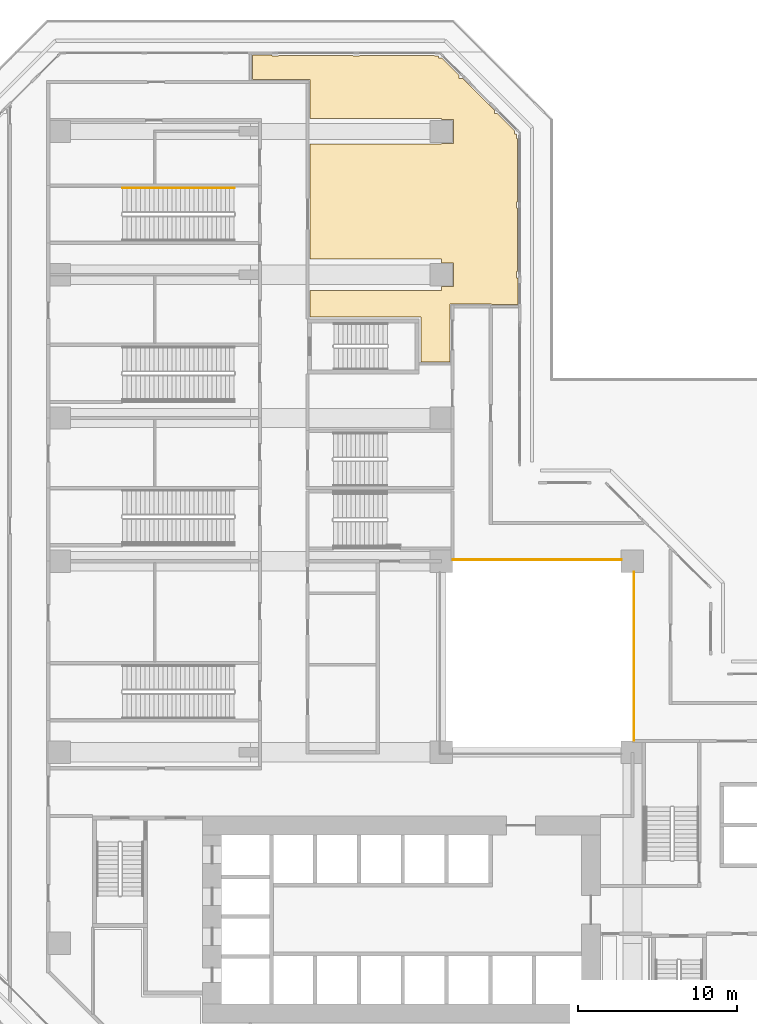
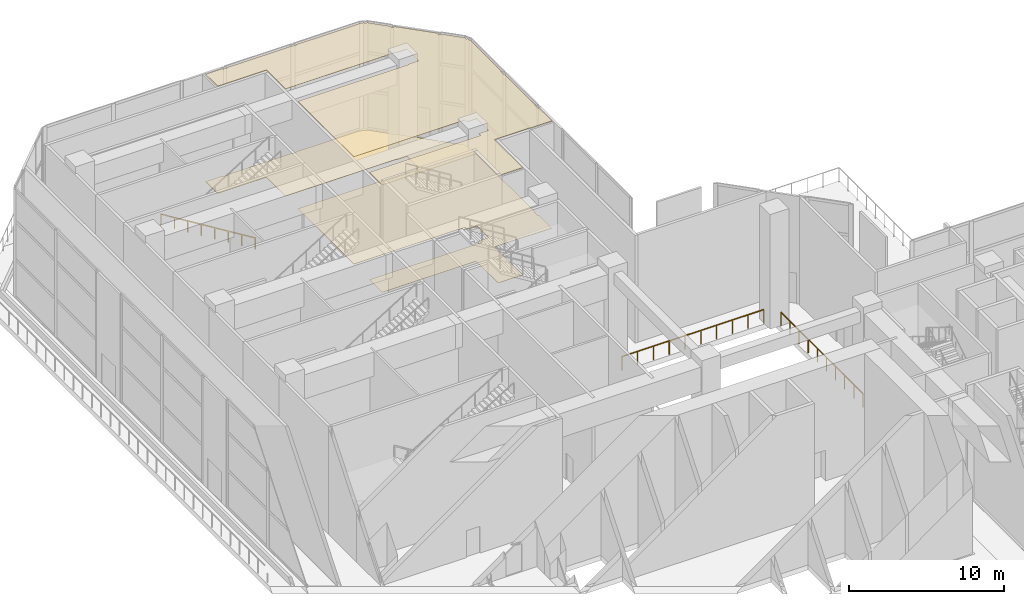
# One storey, part 28 of 28: 3 railings, 2 coverings.
"""IFC4 building model written with IfcOpenShell, lengths in metres."""

from ifc_helpers import new_model, si_unit, direction, frame, origin, origin_2d, place, context, subcontext, project, spatial, polyline, rectangle, outline, extrude, material, layer, layer_set, type_object, element, save


model = new_model("IFC4")

# Units and contexts
model_context = context("Model", 3, precision=1e-05, world=origin(), true_north=direction((0.0, 1.0)))
body_context = subcontext(model_context, "Body", "Model", "MODEL_VIEW")
ifc_project = project(units=[si_unit("LENGTHUNIT", "METRE"), si_unit("AREAUNIT", "SQUARE_METRE"), si_unit("VOLUMEUNIT", "CUBIC_METRE"), si_unit("PLANEANGLEUNIT", "RADIAN"), si_unit("MASSUNIT", "GRAM", prefix="KILO")], contexts=[model_context])

# Site, building, storey
site_placement = place(None, origin())
site = spatial("IfcSite", under=ifc_project, at=site_placement, CompositionType="ELEMENT")
building_placement = place(site_placement, origin())
building = spatial("IfcBuilding", under=site, at=building_placement, Name="Chenar Terraces", CompositionType="ELEMENT")
storey_placement = place(building_placement, frame((0.0, 0.0, 26.39990234375)))
storey = spatial("IfcBuildingStorey", under=building, at=storey_placement, Name="L05", CompositionType="ELEMENT", Elevation=26.39990234375)

# Covering
ifc_material_1 = material(Name="Mineral fibre acoustic ceiling board")
ifc_layer_1 = layer(ifc_material_1, 0.030029296875)
ifc_layer_set_1 = layer_set([ifc_layer_1], Name="Mineral fibre acoustic ceiling board")
covering_type_1 = type_object("IfcCoveringType", Name="Acoustic board ceiling 30", PredefinedType="CEILING", material=ifc_layer_set_1)
covering_1_placement = place(storey_placement, frame((0.0, 0.0, 8.420166015625)))
element("IfcCovering", 1, at=covering_1_placement, inside=storey, type_object=covering_type_1, Name="Acoustic ceiling", PredefinedType="CEILING", context=body_context, shape_type="SweptSolid", body=[
    extrude(outline(polyline([(12.125, 67.800048828125), (13.357421875, 67.800048828125), (13.357421875, 67.72509765625), (13.757568359375, 67.72509765625), (13.757568359375, 67.77490234375), (18.4560546875, 67.77490234375), (18.4560546875, 67.72509765625), (18.856201171875, 67.72509765625), (18.856201171875, 67.77490234375), (23.5546875, 67.77490234375), (23.5546875, 67.72509765625), (23.83447265625, 67.72509765625), (23.83447265625, 67.609130859375), (24.0224609375, 67.609130859375), (25.120361328125, 66.510986328125), (25.120361328125, 66.3232421875), (25.34375, 66.3232421875), (27.3232421875, 64.34375), (27.3232421875, 64.120361328125), (27.510986328125, 64.120361328125), (28.609130859375, 63.0224609375), (28.609130859375, 62.83447265625), (28.72509765625, 62.83447265625), (28.72509765625, 62.5546875), (28.77490234375, 62.5546875), (28.77490234375, 58.5810546875), (28.72509765625, 58.5810546875), (28.72509765625, 58.180908203125), (28.77490234375, 58.180908203125), (28.77490234375, 54.207275390625), (28.72509765625, 54.207275390625), (28.72509765625, 53.80712890625), (28.800048828125, 53.80712890625), (28.800048828125, 52.125), (27.14990234375, 52.125), (27.14990234375, 52.14990234375), (24.550048828125, 52.14990234375), (24.550048828125, 48.52490234375), (22.72509765625, 48.52490234375), (22.72509765625, 51.35009765625), (15.75, 51.35009765625), (15.75, 53.0), (24.0, 53.0), (24.0, 53.25), (24.75, 53.25), (24.75, 54.75), (24.0, 54.75), (24.0, 55.0), (15.75, 55.0), (15.75, 62.199951171875), (24.0, 62.199951171875), (24.0, 62.25), (24.75, 62.25), (24.75, 63.75), (24.0, 63.75), (24.0, 63.800048828125), (15.75, 63.800048828125), (15.75, 66.25), (12.125, 66.25), (12.125, 67.800048828125)])), origin(), (0.0, 0.0, 1.0), 0.030029296875),
])

# Railings
ifc_material_2 = material(Name="Powder-coated steel", Category="steel")
railing_type_1 = type_object("IfcRailingType", Name="Guard 1100 steel rail with glass infill", PredefinedType="GUARDRAIL", material=ifc_material_2)
railing_1_placement = place(storey_placement, frame((24.75, 36.10009765625, 0.0)))
element("IfcRailing", 2, at=railing_1_placement, inside=storey, type_object=railing_type_1, Name="Guard L05-2", PredefinedType="GUARDRAIL", context=body_context, shape_type="SweptSolid", body=[
    extrude(rectangle(XDim=0.06005859375, YDim=0.06005859375, at=origin_2d()), frame((0.0, 0.0, 1.070068359375), z_axis=(1.0, 0.0, 0.0), x_axis=(0.0, 1.0, 0.0)), (0.0, 0.0, 1.0), 10.550048828125),
    extrude(rectangle(XDim=0.050048828125, YDim=0.050048828125, at=origin_2d()), origin(), (0.0, 0.0, 1.0), 1.0400390625),
    extrude(rectangle(XDim=0.050048828125, YDim=0.050048828125, at=origin_2d()), frame((1.172119140625, 0.0, 0.0)), (0.0, 0.0, 1.0), 1.0400390625),
    extrude(rectangle(XDim=0.050048828125, YDim=0.050048828125, at=origin_2d()), frame((2.344482421875, 0.0, 0.0)), (0.0, 0.0, 1.0), 1.0400390625),
    extrude(rectangle(XDim=0.050048828125, YDim=0.050048828125, at=origin_2d()), frame((3.5166015625, 0.0, 0.0)), (0.0, 0.0, 1.0), 1.0400390625),
    extrude(rectangle(XDim=0.050048828125, YDim=0.050048828125, at=origin_2d()), frame((4.68896484375, 0.0, 0.0)), (0.0, 0.0, 1.0), 1.0400390625),
    extrude(rectangle(XDim=0.050048828125, YDim=0.050048828125, at=origin_2d()), frame((5.861083984375, 0.0, 0.0)), (0.0, 0.0, 1.0), 1.0400390625),
    extrude(rectangle(XDim=0.050048828125, YDim=0.050048828125, at=origin_2d()), frame((7.033447265625, 0.0, 0.0)), (0.0, 0.0, 1.0), 1.0400390625),
    extrude(rectangle(XDim=0.050048828125, YDim=0.050048828125, at=origin_2d()), frame((8.20556640625, 0.0, 0.0)), (0.0, 0.0, 1.0), 1.0400390625),
    extrude(rectangle(XDim=0.050048828125, YDim=0.050048828125, at=origin_2d()), frame((9.3779296875, 0.0, 0.0)), (0.0, 0.0, 1.0), 1.0400390625),
    extrude(rectangle(XDim=0.050048828125, YDim=0.050048828125, at=origin_2d()), frame((10.550048828125, 0.0, 0.0)), (0.0, 0.0, 1.0), 1.0400390625),
])
railing_2_placement = place(storey_placement, frame((36.10009765625, 24.75, 0.0)))
element("IfcRailing", 3, at=railing_2_placement, inside=storey, type_object=railing_type_1, Name="Guard L05-3", PredefinedType="GUARDRAIL", context=body_context, shape_type="SweptSolid", body=[
    extrude(rectangle(XDim=0.06005859375, YDim=0.06005859375, at=origin_2d()), frame((0.0, 0.0, 1.070068359375), z_axis=(0.0, 1.0, 0.0), x_axis=(-1.0, 0.0, 0.0)), (0.0, 0.0, 1.0), 10.550048828125),
    extrude(rectangle(XDim=0.050048828125, YDim=0.050048828125, at=origin_2d()), origin(), (0.0, 0.0, 1.0), 1.0400390625),
    extrude(rectangle(XDim=0.050048828125, YDim=0.050048828125, at=origin_2d()), frame((0.0, 1.172119140625, 0.0)), (0.0, 0.0, 1.0), 1.0400390625),
    extrude(rectangle(XDim=0.050048828125, YDim=0.050048828125, at=origin_2d()), frame((0.0, 2.344482421875, 0.0)), (0.0, 0.0, 1.0), 1.0400390625),
    extrude(rectangle(XDim=0.050048828125, YDim=0.050048828125, at=origin_2d()), frame((0.0, 3.5166015625, 0.0)), (0.0, 0.0, 1.0), 1.0400390625),
    extrude(rectangle(XDim=0.050048828125, YDim=0.050048828125, at=origin_2d()), frame((0.0, 4.68896484375, 0.0)), (0.0, 0.0, 1.0), 1.0400390625),
    extrude(rectangle(XDim=0.050048828125, YDim=0.050048828125, at=origin_2d()), frame((0.0, 5.861083984375, 0.0)), (0.0, 0.0, 1.0), 1.0400390625),
    extrude(rectangle(XDim=0.050048828125, YDim=0.050048828125, at=origin_2d()), frame((0.0, 7.033447265625, 0.0)), (0.0, 0.0, 1.0), 1.0400390625),
    extrude(rectangle(XDim=0.050048828125, YDim=0.050048828125, at=origin_2d()), frame((0.0, 8.20556640625, 0.0)), (0.0, 0.0, 1.0), 1.0400390625),
    extrude(rectangle(XDim=0.050048828125, YDim=0.050048828125, at=origin_2d()), frame((0.0, 9.3779296875, 0.0)), (0.0, 0.0, 1.0), 1.0400390625),
    extrude(rectangle(XDim=0.050048828125, YDim=0.050048828125, at=origin_2d()), frame((0.0, 10.550048828125, 0.0)), (0.0, 0.0, 1.0), 1.0400390625),
])

# Covering
ifc_material_3 = material(Name="Honed limestone floor finish", Category="masonry")
ifc_layer_2 = layer(ifc_material_3, 0.02001953125)
ifc_layer_set_2 = layer_set([ifc_layer_2], Name="Honed limestone floor finish")
covering_type_2 = type_object("IfcCoveringType", Name="Limestone floor finish 20", PredefinedType="FLOORING", material=ifc_layer_set_2)
covering_2_placement = place(storey_placement, origin())
element("IfcCovering", 4, at=covering_2_placement, inside=storey, type_object=covering_type_2, Name="Limestone floor finish", PredefinedType="FLOORING", context=body_context, shape_type="SweptSolid", body=[
    extrude(outline(polyline([(12.125, 67.800048828125), (13.357421875, 67.800048828125), (13.357421875, 67.72509765625), (13.757568359375, 67.72509765625), (13.757568359375, 67.77490234375), (18.4560546875, 67.77490234375), (18.4560546875, 67.72509765625), (18.856201171875, 67.72509765625), (18.856201171875, 67.77490234375), (23.5546875, 67.77490234375), (23.5546875, 67.72509765625), (23.83447265625, 67.72509765625), (23.83447265625, 67.609130859375), (24.0224609375, 67.609130859375), (25.120361328125, 66.510986328125), (25.120361328125, 66.3232421875), (25.34375, 66.3232421875), (27.3232421875, 64.34375), (27.3232421875, 64.120361328125), (27.510986328125, 64.120361328125), (28.609130859375, 63.0224609375), (28.609130859375, 62.83447265625), (28.72509765625, 62.83447265625), (28.72509765625, 62.5546875), (28.77490234375, 62.5546875), (28.77490234375, 58.5810546875), (28.72509765625, 58.5810546875), (28.72509765625, 58.180908203125), (28.77490234375, 58.180908203125), (28.77490234375, 54.207275390625), (28.72509765625, 54.207275390625), (28.72509765625, 53.80712890625), (28.800048828125, 53.80712890625), (28.800048828125, 52.125), (27.14990234375, 52.125), (27.14990234375, 52.14990234375), (24.550048828125, 52.14990234375), (24.550048828125, 48.52490234375), (22.72509765625, 48.52490234375), (22.72509765625, 51.35009765625), (15.75, 51.35009765625), (15.75, 53.0), (24.0, 53.0), (24.0, 53.25), (24.75, 53.25), (24.75, 54.75), (24.0, 54.75), (24.0, 55.0), (15.75, 55.0), (15.75, 62.199951171875), (24.0, 62.199951171875), (24.0, 62.25), (24.75, 62.25), (24.75, 63.75), (24.0, 63.75), (24.0, 63.800048828125), (15.75, 63.800048828125), (15.75, 66.25), (12.125, 66.25), (12.125, 67.800048828125)])), origin(), (0.0, 0.0, 1.0), 0.02001953125),
])

# Railing
ifc_material_4 = material(Name="Powder-coated steel", Category="steel")
railing_type_2 = type_object("IfcRailingType", Name="Stair handrail 900", PredefinedType="HANDRAIL", material=ifc_material_4)
railing_3_placement = place(storey_placement, frame((10.985107421875, 59.43994140625, 0.173095703125)))
element("IfcRailing", 5, at=railing_3_placement, inside=storey, type_object=railing_type_2, Name="L05 PS3 stair handrail 1", PredefinedType="HANDRAIL", context=body_context, shape_type="SweptSolid", body=[
    extrude(rectangle(XDim=0.048095703125, YDim=0.048095703125, at=origin_2d()), frame((0.0, 0.0, 0.8759765625), z_axis=(-0.850614592968, 0.0, 0.525789705328), x_axis=(0.0, -1.0, 0.0)), (0.0, 0.0, 1.0), 8.229248046875),
    extrude(rectangle(XDim=0.0419921875, YDim=0.0419921875, at=origin_2d()), origin(), (0.0, 0.0, 1.0), 0.851806640625),
    extrude(rectangle(XDim=0.0419921875, YDim=0.0419921875, at=origin_2d()), frame((-1.0, 0.0, 0.6181640625)), (0.0, 0.0, 1.0), 0.851806640625),
    extrude(rectangle(XDim=0.0419921875, YDim=0.0419921875, at=origin_2d()), frame((-2.0, 0.0, 1.236328125)), (0.0, 0.0, 1.0), 0.851806640625),
    extrude(rectangle(XDim=0.0419921875, YDim=0.0419921875, at=origin_2d()), frame((-3.0, 0.0, 1.8544921875)), (0.0, 0.0, 1.0), 0.851806640625),
    extrude(rectangle(XDim=0.0419921875, YDim=0.0419921875, at=origin_2d()), frame((-4.0, 0.0, 2.472412109375)), (0.0, 0.0, 1.0), 0.851806640625),
    extrude(rectangle(XDim=0.0419921875, YDim=0.0419921875, at=origin_2d()), frame((-5.0, 0.0, 3.090576171875)), (0.0, 0.0, 1.0), 0.851806640625),
    extrude(rectangle(XDim=0.0419921875, YDim=0.0419921875, at=origin_2d()), frame((-6.0, 0.0, 3.708740234375)), (0.0, 0.0, 1.0), 0.851806640625),
    extrude(rectangle(XDim=0.0419921875, YDim=0.0419921875, at=origin_2d()), frame((-7.0, 0.0, 4.326904296875)), (0.0, 0.0, 1.0), 0.851806640625),
])

save(model, "model.ifc")
